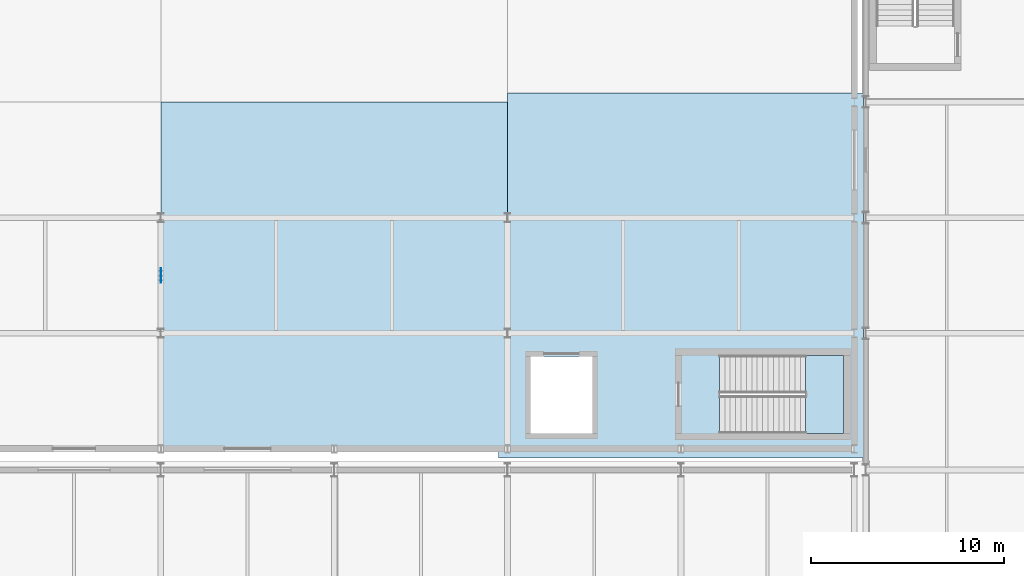
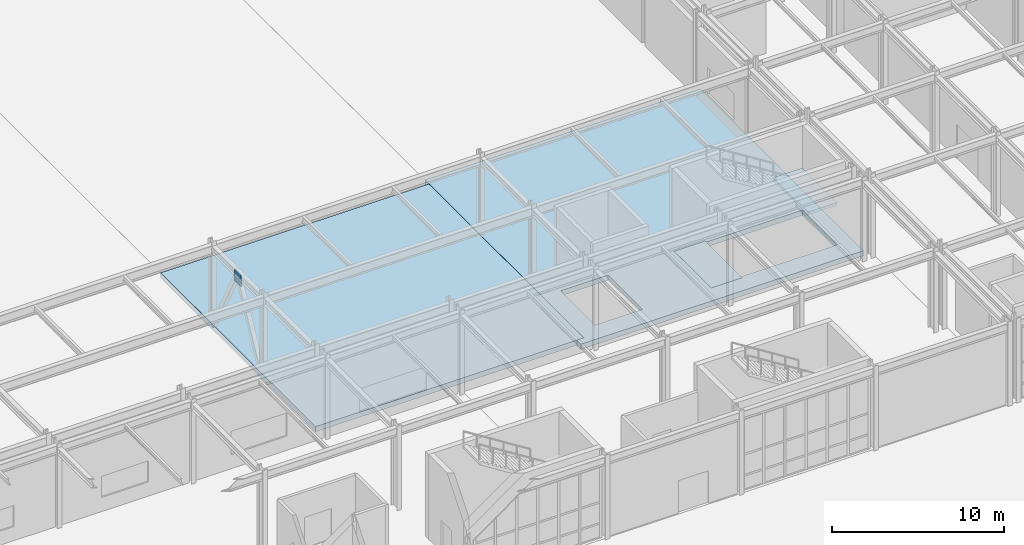
# One storey, part 109 of 146: 4 slabs, 1 plate, 1 element without a shape of its own.
"""IFC4 building model written with IfcOpenShell, lengths in metres."""

from ifc_helpers import new_model, si_unit, direction, frame, origin, origin_2d, place, context, subcontext, project, spatial, polyline, rectangle, outline, extrude, material, layer, layer_set, type_object, element, aggregate, save


model = new_model("IFC4")

# Units and contexts
model_context = context("Model", 3, precision=1e-05, world=origin(), true_north=direction((0.0, 1.0)))
body_context = subcontext(model_context, "Body", "Model", "MODEL_VIEW")
ifc_project = project(units=[si_unit("LENGTHUNIT", "METRE"), si_unit("AREAUNIT", "SQUARE_METRE"), si_unit("VOLUMEUNIT", "CUBIC_METRE"), si_unit("PLANEANGLEUNIT", "RADIAN"), si_unit("MASSUNIT", "GRAM", prefix="KILO")], contexts=[model_context])

# Site, building, storey
site_placement = place(None, origin())
site = spatial("IfcSite", under=ifc_project, at=site_placement, CompositionType="ELEMENT")
building_placement = place(site_placement, origin())
building = spatial("IfcBuilding", under=site, at=building_placement, Name="Kaldris Quays Convention Centre", CompositionType="ELEMENT")
storey_placement = place(building_placement, origin())
storey = spatial("IfcBuildingStorey", under=building, at=storey_placement, Name="L00", CompositionType="ELEMENT", Elevation=0.0)

# Plate
ifc_material_1 = material(Name="Steel S355J2", Category="steel")
plate_type = type_object("IfcPlateType", Name="GUSSET PLATE GP20", PredefinedType="USERDEFINED", material=ifc_material_1)
plate_placement = place(storey_placement, frame((110.0, 65.0, 4.712890625), z_axis=(0.0, 0.0, 1.0), x_axis=(1.0, 0.0, 0.0)))
element("IfcPlate", 1, at=plate_placement, inside=storey, type_object=plate_type, Name="CBF Apex Gusset Plate GP20 4", ObjectType="GUSSET PLATE", PredefinedType="USERDEFINED", context=body_context, shape_type="SweptSolid", body=[
    extrude(rectangle(XDim=0.02392578125, YDim=0.764892578125, at=origin_2d()), origin(), (0.0, 0.0, 1.0), 0.7900390625),
])

# Stair, slab
ifc_material_2 = material(Name="Concrete C35/45", Category="concrete")
stair_type = type_object("IfcStairType", Name="DOGLEG ESCAPE STAIR STF2", PredefinedType="TWO_STRAIGHT_RUN_STAIR", material=ifc_material_2)
stair_placement = place(storey_placement, origin())
stair = element("IfcStair", 2, at=stair_placement, inside=storey, type_object=stair_type, Name="L00 Escape Stair ST02", PredefinedType="TWO_STRAIGHT_RUN_STAIR")
ifc_layer_1 = layer(ifc_material_2, 0.205078125)
ifc_layer_set_1 = layer_set([ifc_layer_1], Name="Concrete C35/45")
slab_type_1 = type_object("IfcSlabType", Name="STAIR LANDING SLAB LS01", PredefinedType="LANDING", material=ifc_layer_set_1)
slab_1_placement = place(storey_placement, frame((0.0, 0.0, 2.794921875)))
slab_1 = element("IfcSlab", 3, at=slab_1_placement, type_object=slab_type_1, Name="STF2 landing 1", PredefinedType="LANDING", context=body_context, shape_type="SweptSolid", body=[
    extrude(outline(polyline([(143.47998046875, 56.800048828125), (145.449951171875, 56.800048828125), (145.449951171875, 60.85009765625), (143.47998046875, 60.85009765625), (143.47998046875, 56.800048828125)])), origin(), (0.0, 0.0, 1.0), 0.205078125),
])
aggregate(stair, [slab_1])

# Slabs
ifc_layer_2 = layer(ifc_material_2, 0.364990234375)
ifc_layer_set_2 = layer_set([ifc_layer_2], Name="Concrete C35/45")
slab_type_2 = type_object("IfcSlabType", Name="STRUCTURAL SLAB FS01", PredefinedType="FLOOR", material=ifc_layer_set_2)
slab_2_placement = place(storey_placement, frame((0.0, 0.0, -0.364990234375)))
element("IfcSlab", 4, at=slab_2_placement, inside=storey, type_object=slab_type_2, Name="L00 V1 Heavy Slab South 6 SLAB-L00-V1S-6", PredefinedType="FLOOR", context=body_context, shape_type="SweptSolid", body=[
    extrude(outline(polyline([(128.0, 74.0), (128.0, 56.0), (110.001953125, 56.0), (110.001953125, 74.0), (128.0, 74.0)])), origin(), (0.0, 0.0, 1.0), 0.364990234375),
])
slab_3_placement = place(storey_placement, frame((0.0, 0.0, -0.364990234375)))
element("IfcSlab", 5, at=slab_3_placement, inside=storey, type_object=slab_type_2, Name="L00 V1 Heavy Slab South 7 SLAB-L00-V1S-7", PredefinedType="FLOOR", context=body_context, shape_type="SweptSolid", body=[
    extrude(outline(polyline([(146.47509765625, 74.47509765625), (146.47509765625, 55.52490234375), (127.52490234375, 55.52490234375), (127.52490234375, 55.998046875), (128.001953125, 56.0), (128.001953125, 74.47509765625), (146.47509765625, 74.47509765625)]), holes=[polyline([(132.39990234375, 56.800048828125), (132.39990234375, 60.800048828125), (129.199951171875, 60.800048828125), (129.199951171875, 56.800048828125), (132.39990234375, 56.800048828125)]), polyline([(139.001708984375, 56.67919921875), (139.001953125, 56.800048828125), (145.449951171875, 56.800048828125), (145.449951171875, 60.85009765625), (139.001953125, 60.85009765625), (139.000244140625, 60.971923828125), (136.928955078125, 60.9716796875), (136.92822265625, 56.67919921875), (139.001708984375, 56.67919921875)])]), origin(), (0.0, 0.0, 1.0), 0.364990234375),
])
ifc_layer_3 = layer(ifc_material_2, 0.27490234375)
ifc_layer_set_3 = layer_set([ifc_layer_3], Name="Concrete C35/45")
slab_type_3 = type_object("IfcSlabType", Name="STRUCTURAL SLAB FS05", PredefinedType="FLOOR", material=ifc_layer_set_3)
slab_4_placement = place(storey_placement, frame((0.0, 0.0, -0.27490234375)))
element("IfcSlab", 6, at=slab_4_placement, inside=storey, type_object=slab_type_3, Name="L00 ST02 Core Floor Landing Slab", PredefinedType="FLOOR", context=body_context, shape_type="SweptSolid", body=[
    extrude(outline(polyline([(136.929931640625, 56.679931640625), (139.0, 56.679931640625), (139.0, 60.969970703125), (136.929931640625, 60.969970703125), (136.929931640625, 56.679931640625)])), origin(), (0.0, 0.0, 1.0), 0.27490234375),
])

save(model, "model.ifc")
